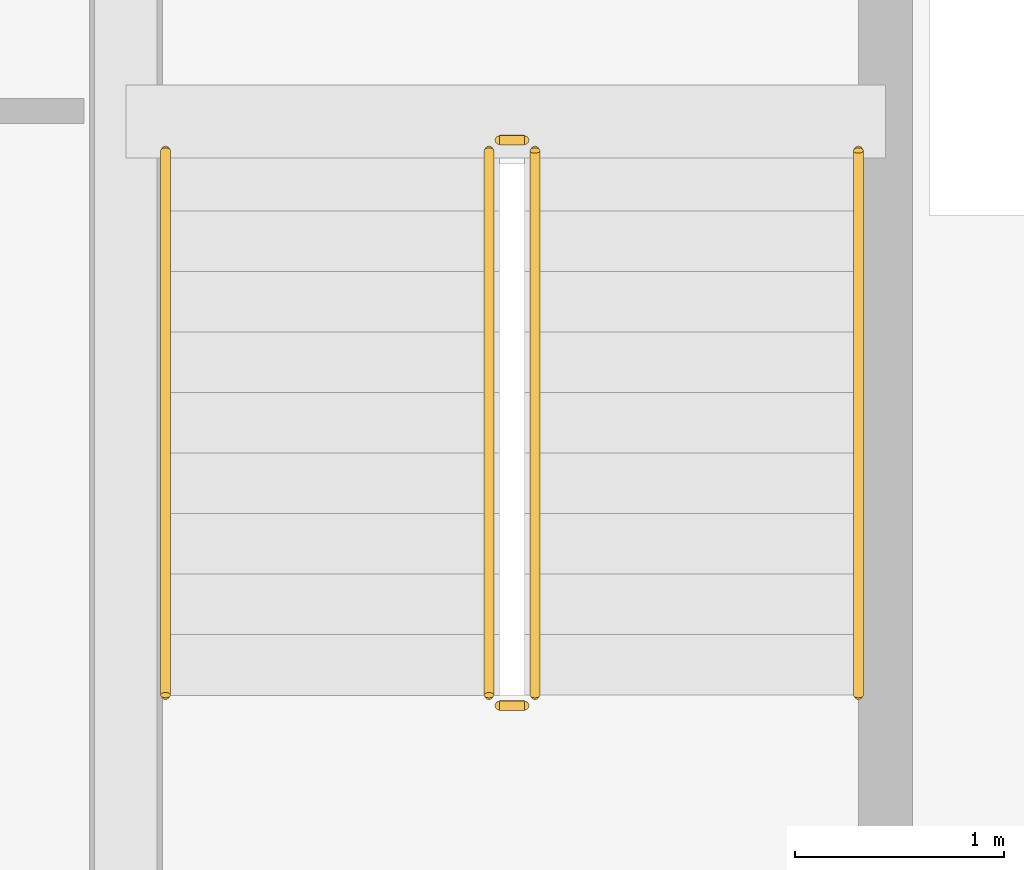
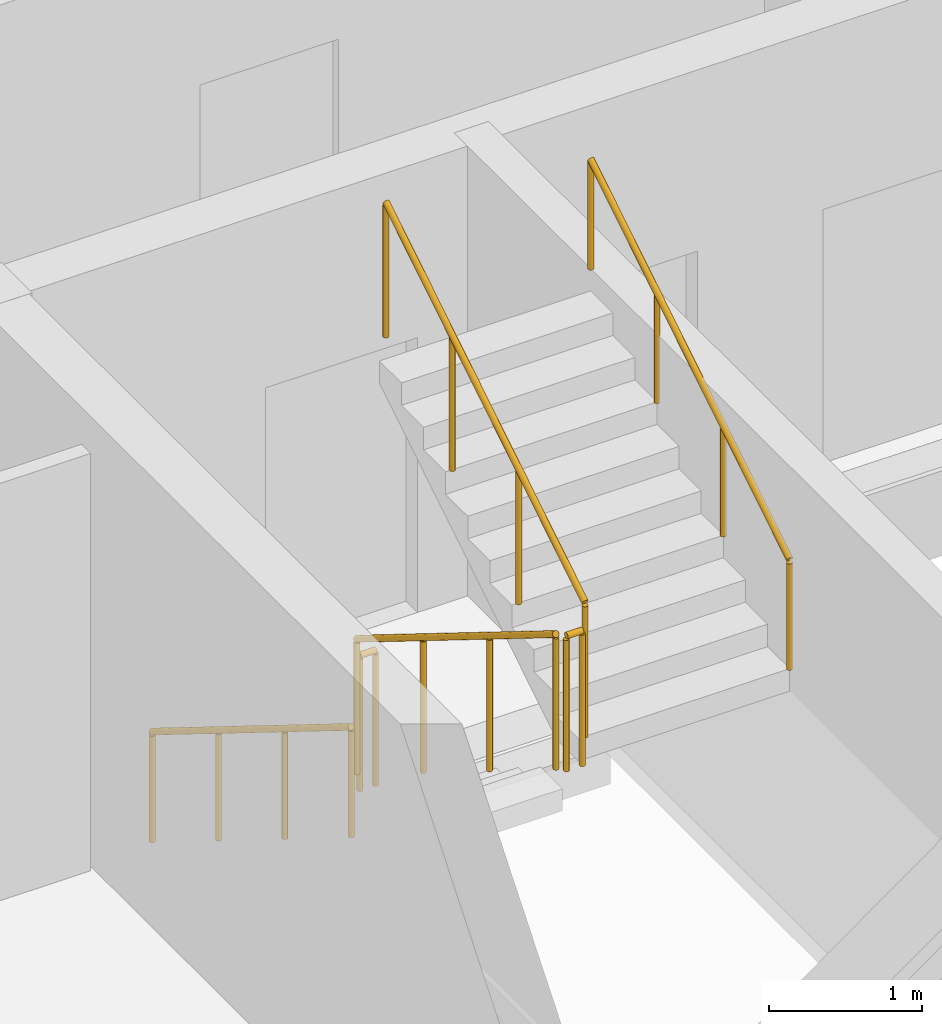
# One storey, part 46 of 51: 6 railings.
"""IFC4 building model written with IfcOpenShell, lengths in metres."""

from ifc_helpers import new_model, si_unit, direction, frame, origin, origin_2d, place, context, subcontext, project, spatial, circle, extrude, material, type_object, element, save


model = new_model("IFC4")

# Units and contexts
model_context = context("Model", 3, precision=1e-05, world=origin(), true_north=direction((0.0, 1.0)))
body_context = subcontext(model_context, "Body", "Model", "MODEL_VIEW")
ifc_project = project(units=[si_unit("LENGTHUNIT", "METRE"), si_unit("AREAUNIT", "SQUARE_METRE"), si_unit("VOLUMEUNIT", "CUBIC_METRE"), si_unit("PLANEANGLEUNIT", "RADIAN"), si_unit("MASSUNIT", "GRAM", prefix="KILO")], contexts=[model_context])

# Site, building, storey
site_placement = place(None, origin())
site = spatial("IfcSite", under=ifc_project, at=site_placement, CompositionType="ELEMENT")
building_placement = place(site_placement, origin())
building = spatial("IfcBuilding", under=site, at=building_placement, Name="Vharandega Faculty of Natural Sciences", CompositionType="ELEMENT")
storey_placement = place(building_placement, frame((0.0, 0.0, 18.0)))
storey = spatial("IfcBuildingStorey", under=building, at=storey_placement, Name="L04", CompositionType="ELEMENT", Elevation=18.0)

# Railings
ifc_material_1 = material(Name="Brushed stainless steel handrail", Category="steel")
railing_type_1 = type_object("IfcRailingType", Name="Stair Tubular Handrail 900", PredefinedType="HANDRAIL", material=ifc_material_1)
railing_1_placement = place(storey_placement, frame((32.18994140625, 46.2099609375, 0.179931640625)))
element("IfcRailing", 1, at=railing_1_placement, inside=storey, type_object=railing_type_1, Name="L04 ST3 stair handrail 1", PredefinedType="HANDRAIL", context=body_context, shape_type="SweptSolid", body=[
    extrude(circle(Radius=0.02392578125, at=origin_2d()), frame((0.0, 0.0, 0.8759765625), z_axis=(0.0, -0.849610693518, 0.52741034258), x_axis=(1.0, 0.0, 0.0)), (0.0, 0.0, 1.0), 3.07177734375),
    extrude(circle(Radius=0.02099609375, at=origin_2d()), origin(), (0.0, 0.0, 1.0), 0.851806640625),
    extrude(circle(Radius=0.02099609375, at=origin_2d()), frame((0.0, -0.869873046875, 0.5400390625)), (0.0, 0.0, 1.0), 0.851806640625),
    extrude(circle(Radius=0.02099609375, at=origin_2d()), frame((0.0, -1.739990234375, 1.080078125)), (0.0, 0.0, 1.0), 0.851806640625),
    extrude(circle(Radius=0.02099609375, at=origin_2d()), frame((0.0, -2.60986328125, 1.6201171875)), (0.0, 0.0, 1.0), 0.851806640625),
])
railing_2_placement = place(storey_placement, frame((35.510009765625, 43.60009765625, 1.97998046875)))
element("IfcRailing", 2, at=railing_2_placement, inside=storey, type_object=railing_type_1, Name="L04 ST3 stair handrail 2", PredefinedType="HANDRAIL", context=body_context, shape_type="SweptSolid", body=[
    extrude(circle(Radius=0.02392578125, at=origin_2d()), frame((0.0, 0.0, 0.8759765625), z_axis=(0.0, 0.849610693518, 0.52741034258), x_axis=(-1.0, 0.0, 0.0)), (0.0, 0.0, 1.0), 3.07177734375),
    extrude(circle(Radius=0.02099609375, at=origin_2d()), origin(), (0.0, 0.0, 1.0), 0.851806640625),
    extrude(circle(Radius=0.02099609375, at=origin_2d()), frame((0.0, 0.869873046875, 0.5400390625)), (0.0, 0.0, 1.0), 0.851806640625),
    extrude(circle(Radius=0.02099609375, at=origin_2d()), frame((0.0, 1.739990234375, 1.080078125)), (0.0, 0.0, 1.0), 0.851806640625),
    extrude(circle(Radius=0.02099609375, at=origin_2d()), frame((0.0, 2.60986328125, 1.6201171875)), (0.0, 0.0, 1.0), 0.851806640625),
])
ifc_material_2 = material(Name="Painted steel stair guardrail", Category="steel")
railing_type_2 = type_object("IfcRailingType", Name="Stairwell Steel Guardrail 1100", PredefinedType="GUARDRAIL", material=ifc_material_2)
railing_3_placement = place(storey_placement, frame((33.739990234375, 46.2099609375, 0.179931640625)))
element("IfcRailing", 3, at=railing_3_placement, inside=storey, type_object=railing_type_2, Name="L04 ST3 stair guard 1", PredefinedType="GUARDRAIL", context=body_context, shape_type="SweptSolid", body=[
    extrude(circle(Radius=0.02392578125, at=origin_2d()), frame((0.0, 0.0, 1.076171875), z_axis=(0.0, -0.849610693518, 0.52741034258), x_axis=(1.0, 0.0, 0.0)), (0.0, 0.0, 1.0), 3.07177734375),
    extrude(circle(Radius=0.02099609375, at=origin_2d()), origin(), (0.0, 0.0, 1.0), 1.052001953125),
    extrude(circle(Radius=0.02099609375, at=origin_2d()), frame((0.0, -0.869873046875, 0.5400390625)), (0.0, 0.0, 1.0), 1.052001953125),
    extrude(circle(Radius=0.02099609375, at=origin_2d()), frame((0.0, -1.739990234375, 1.080078125)), (0.0, 0.0, 1.0), 1.052001953125),
    extrude(circle(Radius=0.02099609375, at=origin_2d()), frame((0.0, -2.60986328125, 1.6201171875)), (0.0, 0.0, 1.0), 1.052001953125),
])
railing_4_placement = place(storey_placement, frame((33.7900390625, 43.550048828125, 1.800048828125)))
element("IfcRailing", 4, at=railing_4_placement, inside=storey, type_object=railing_type_2, Name="L04 ST3 stair guard 2", PredefinedType="GUARDRAIL", context=body_context, shape_type="SweptSolid", body=[
    extrude(circle(Radius=0.02392578125, at=origin_2d()), frame((0.0, 0.0, 1.076171875), z_axis=(1.0, 0.0, 0.0), x_axis=(0.0, 1.0, 0.0)), (0.0, 0.0, 1.0), 0.119873046875),
    extrude(circle(Radius=0.02099609375, at=origin_2d()), origin(), (0.0, 0.0, 1.0), 1.052001953125),
    extrude(circle(Radius=0.02099609375, at=origin_2d()), frame((0.119873046875, 0.0, 0.0)), (0.0, 0.0, 1.0), 1.052001953125),
])
railing_5_placement = place(storey_placement, frame((33.9599609375, 43.60009765625, 1.97998046875)))
element("IfcRailing", 5, at=railing_5_placement, inside=storey, type_object=railing_type_2, Name="L04 ST3 stair guard 3", PredefinedType="GUARDRAIL", context=body_context, shape_type="SweptSolid", body=[
    extrude(circle(Radius=0.02392578125, at=origin_2d()), frame((0.0, 0.0, 1.076171875), z_axis=(0.0, 0.849610693518, 0.52741034258), x_axis=(-1.0, 0.0, 0.0)), (0.0, 0.0, 1.0), 3.07177734375),
    extrude(circle(Radius=0.02099609375, at=origin_2d()), origin(), (0.0, 0.0, 1.0), 1.052001953125),
    extrude(circle(Radius=0.02099609375, at=origin_2d()), frame((0.0, 0.869873046875, 0.5400390625)), (0.0, 0.0, 1.0), 1.052001953125),
    extrude(circle(Radius=0.02099609375, at=origin_2d()), frame((0.0, 1.739990234375, 1.080078125)), (0.0, 0.0, 1.0), 1.052001953125),
    extrude(circle(Radius=0.02099609375, at=origin_2d()), frame((0.0, 2.60986328125, 1.6201171875)), (0.0, 0.0, 1.0), 1.052001953125),
])
railing_6_placement = place(storey_placement, frame((33.7900390625, 46.260009765625, 0.0)))
element("IfcRailing", 6, at=railing_6_placement, inside=storey, type_object=railing_type_2, Name="L04 ST3 stair guard 4", PredefinedType="GUARDRAIL", context=body_context, shape_type="SweptSolid", body=[
    extrude(circle(Radius=0.02392578125, at=origin_2d()), frame((0.0, 0.0, 1.076171875), z_axis=(1.0, 0.0, 0.0), x_axis=(0.0, 1.0, 0.0)), (0.0, 0.0, 1.0), 0.119873046875),
    extrude(circle(Radius=0.02099609375, at=origin_2d()), origin(), (0.0, 0.0, 1.0), 1.052001953125),
    extrude(circle(Radius=0.02099609375, at=origin_2d()), frame((0.119873046875, 0.0, 0.0)), (0.0, 0.0, 1.0), 1.052001953125),
])

save(model, "model.ifc")
